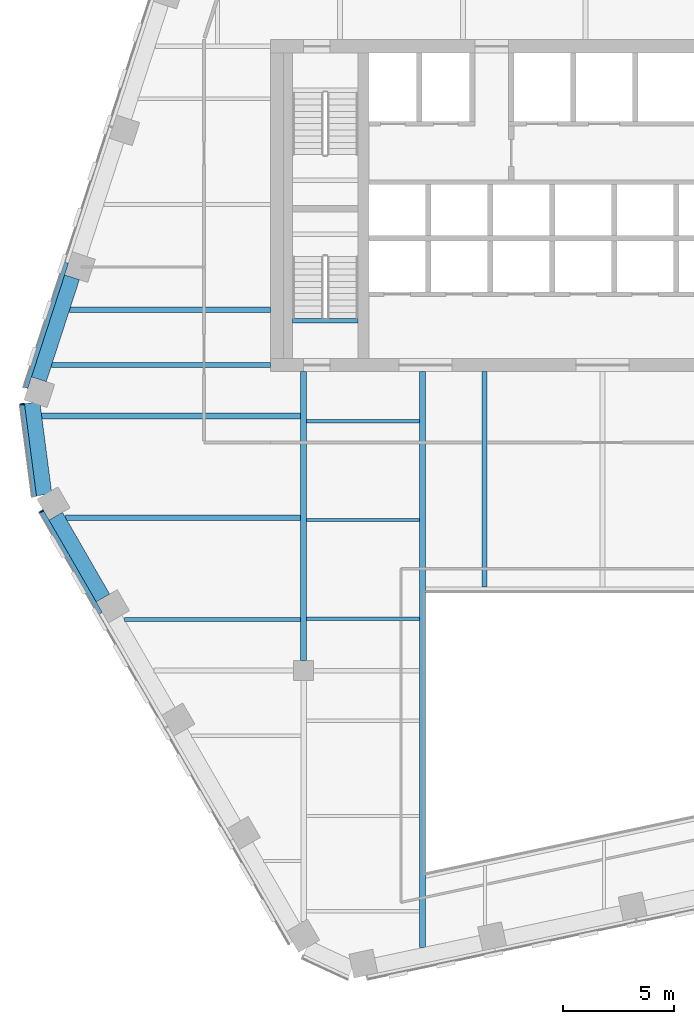
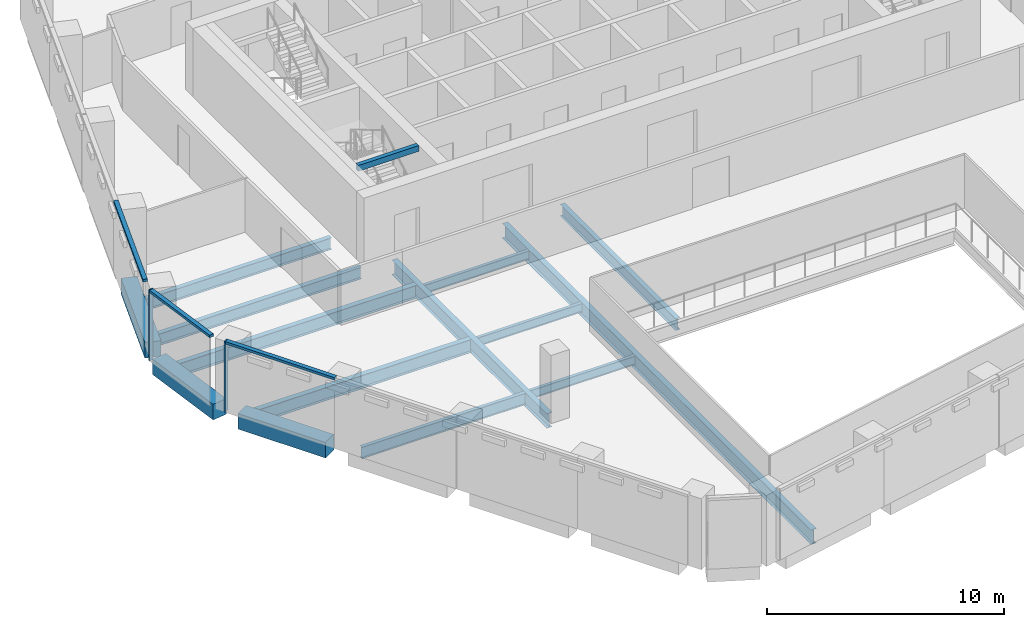
# One storey, part 3 of 16: 15 beams, 5 members, 3 elements without a shape of their own.
"""IFC4 building model written with IfcOpenShell, lengths in metres."""

from ifc_helpers import new_model, si_unit, direction, frame, origin, origin_2d, place, context, subcontext, project, spatial, rectangle, i_section, extrude, material, layer, layer_set, material_profile, profile_set, type_object, element, aggregate, save


model = new_model("IFC4")

# Units and contexts
model_context = context("Model", 3, precision=1e-05, world=origin(), true_north=direction((0.0, 1.0)))
body_context = subcontext(model_context, "Body", "Model", "MODEL_VIEW")
ifc_project = project(units=[si_unit("LENGTHUNIT", "METRE"), si_unit("AREAUNIT", "SQUARE_METRE"), si_unit("VOLUMEUNIT", "CUBIC_METRE"), si_unit("PLANEANGLEUNIT", "RADIAN"), si_unit("MASSUNIT", "GRAM", prefix="KILO")], contexts=[model_context])

# Site, building, storey
site_placement = place(None, origin())
site = spatial("IfcSite", under=ifc_project, at=site_placement, CompositionType="ELEMENT")
building_placement = place(site_placement, origin())
building = spatial("IfcBuilding", under=site, at=building_placement, Name="Isthmus Gate Tower", CompositionType="ELEMENT")
storey_placement = place(building_placement, frame((0.0, 0.0, 216.300048828125)))
storey = spatial("IfcBuildingStorey", under=building, at=storey_placement, Name="L54", CompositionType="ELEMENT", Elevation=216.300048828125)

# Curtain wall, member
ifc_material_1 = material(Name="Aluminium, pale champagne anodised", Category="aluminium")
ifc_layer = layer(ifc_material_1, 0.199951171875)
ifc_layer_set = layer_set([ifc_layer], Name="CW-1 UNITISED CURTAIN WALL 200 DEEP")
curtain_wall_type = type_object("IfcCurtainWallType", Name="CW-1 UNITISED CURTAIN WALL 200 DEEP", PredefinedType="NOTDEFINED", material=ifc_layer_set)
curtain_wall_1_placement = place(storey_placement, origin())
curtain_wall_1 = element("IfcCurtainWall", 1, at=curtain_wall_1_placement, inside=storey, type_object=curtain_wall_type, Name="CW-1 NW-SW L54", PredefinedType="NOTDEFINED")
ifc_material_2 = material(Name="Aluminium, pale champagne anodised", Category="aluminium")
ifc_material_profile_1 = material_profile(ifc_material_2, rectangle(XDim=0.06005859375, YDim=0.199951171875, at=origin_2d()), Name="60x200")
ifc_profile_set_1 = profile_set([ifc_material_profile_1], Name="Aluminium, pale champagne anodised")
member_type_1 = type_object("IfcMemberType", Name="CW-1 MULLION 60 X 200", PredefinedType="MULLION", material=ifc_profile_set_1)
member_1_placement = place(storey_placement, frame((-26.205322265625, -1.4658203125, 0.0), z_axis=(0.0, 0.0, 1.0), x_axis=(0.129164534, -0.991623175988, 0.0)))
member_1 = element("IfcMember", 2, at=member_1_placement, type_object=member_type_1, Name="CW-1 mullion", PredefinedType="MULLION", context=body_context, shape_type="SweptSolid", body=[
    extrude(rectangle(XDim=0.06005859375, YDim=0.199951171875, at=origin_2d()), origin(), (0.0, 0.0, 1.0), 3.64990234375),
])

curtain_wall_2_placement = place(storey_placement, origin())
curtain_wall_2 = element("IfcCurtainWall", 3, at=curtain_wall_2_placement, inside=storey, type_object=curtain_wall_type, Name="CW-1 SW L54", PredefinedType="NOTDEFINED")
member_2_placement = place(storey_placement, frame((-25.3427734375, -6.304931640625, 0.0), z_axis=(0.0, 0.0, 1.0), x_axis=(0.5, -0.866025403784, 0.0)))
member_2 = element("IfcMember", 4, at=member_2_placement, type_object=member_type_1, Name="CW-1 mullion", PredefinedType="MULLION", context=body_context, shape_type="SweptSolid", body=[
    extrude(rectangle(XDim=0.06005859375, YDim=0.199951171875, at=origin_2d()), origin(), (0.0, 0.0, 1.0), 3.64990234375),
])

curtain_wall_3_placement = place(storey_placement, origin())
curtain_wall_3 = element("IfcCurtainWall", 5, at=curtain_wall_3_placement, inside=storey, type_object=curtain_wall_type, Name="CW-1 NW L54", PredefinedType="NOTDEFINED")
ifc_material_3 = material(Name="Aluminium, pale champagne anodised", Category="aluminium")
ifc_material_profile_2 = material_profile(ifc_material_3, rectangle(XDim=0.199951171875, YDim=0.1298828125, at=origin_2d()), Name="200x130")
ifc_profile_set_2 = profile_set([ifc_material_profile_2], Name="Aluminium, pale champagne anodised")
member_type_2 = type_object("IfcMemberType", Name="CW-1 TRANSOM 200 X 130", PredefinedType="USERDEFINED", material=ifc_profile_set_2)
member_3_placement = place(storey_placement, frame((-24.217529296875, 4.92333984375, 3.5849609375), z_axis=(-0.309020108403, -0.951055504481, 0.0), x_axis=(0.951055504481, -0.309020108403, 0.0)))
member_3 = element("IfcMember", 6, at=member_3_placement, type_object=member_type_2, Name="CW-1 transom", ObjectType="TRANSOM", PredefinedType="USERDEFINED", context=body_context, shape_type="SweptSolid", body=[
    extrude(rectangle(XDim=0.199951171875, YDim=0.1298828125, at=origin_2d()), origin(), (0.0, 0.0, 1.0), 5.94189453125),
])
aggregate(curtain_wall_3, [member_3])

# Member
member_4_placement = place(storey_placement, frame((-26.20166015625, -1.495361328125, 3.5849609375), z_axis=(0.129206893318, -0.991617657527, 0.0), x_axis=(0.991617657527, 0.129206893318, 0.0)))
member_4 = element("IfcMember", 7, at=member_4_placement, type_object=member_type_2, Name="CW-1 transom", ObjectType="TRANSOM", PredefinedType="USERDEFINED", context=body_context, shape_type="SweptSolid", body=[
    extrude(rectangle(XDim=0.199951171875, YDim=0.1298828125, at=origin_2d()), origin(), (0.0, 0.0, 1.0), 4.181640625),
])

aggregate(curtain_wall_1, [member_1, member_4])

member_5_placement = place(storey_placement, frame((-25.327880859375, -6.3310546875, 3.5849609375), z_axis=(0.500022807565, -0.86601223543, 0.0), x_axis=(0.86601223543, 0.500022807565, 0.0)))
member_5 = element("IfcMember", 8, at=member_5_placement, type_object=member_type_2, Name="CW-1 transom", ObjectType="TRANSOM", PredefinedType="USERDEFINED", context=body_context, shape_type="SweptSolid", body=[
    extrude(rectangle(XDim=0.199951171875, YDim=0.1298828125, at=origin_2d()), origin(), (0.0, 0.0, 1.0), 5.300537109375),
])

aggregate(curtain_wall_2, [member_2, member_5])

# Beams
ifc_material_4 = material(Name="Concrete f'c 50 MPa", Category="concrete")
ifc_material_profile_3 = material_profile(ifc_material_4, rectangle(XDim=0.699951171875, YDim=0.800048828125, at=origin_2d()), Name="RC 700X800")
ifc_profile_set_3 = profile_set([ifc_material_profile_3], Name="Concrete f'c 50 MPa")
beam_type_1 = type_object("IfcBeamType", Name="RC SPANDREL 700 X 800", PredefinedType="SPANDREL", material=ifc_profile_set_3)
beam_1_placement = place(storey_placement, frame((-22.562744140625, -10.22021484375, -0.400146484375), z_axis=(-0.499996907167, 0.866027189425, 0.0), x_axis=(-0.866027189425, -0.499996907167, 0.0)))
element("IfcBeam", 9, at=beam_1_placement, inside=storey, type_object=beam_type_1, Name="str-spandrel-L54-19", PredefinedType="SPANDREL", context=body_context, shape_type="SweptSolid", body=[
    extrude(rectangle(XDim=0.699951171875, YDim=0.800048828125, at=origin_2d()), origin(), (0.0, 0.0, 1.0), 4.2607421875),
])
beam_2_placement = place(storey_placement, frame((-25.218017578125, -5.563232421875, -0.400146484375), z_axis=(-0.129137748309, 0.991626664608, 0.0), x_axis=(-0.991626664608, -0.129137748309, 0.0)))
element("IfcBeam", 10, at=beam_2_placement, inside=storey, type_object=beam_type_1, Name="str-spandrel-L54-20", PredefinedType="SPANDREL", context=body_context, shape_type="SweptSolid", body=[
    extrude(rectangle(XDim=0.699951171875, YDim=0.800048828125, at=origin_2d()), origin(), (0.0, 0.0, 1.0), 4.197021484375),
])
beam_3_placement = place(storey_placement, frame((-25.455810546875, -0.34375, -0.400146484375), z_axis=(0.309033626624, 0.951051111989, 0.0), x_axis=(-0.951051111989, 0.309033626624, 0.0)))
element("IfcBeam", 11, at=beam_3_placement, inside=storey, type_object=beam_type_1, Name="str-spandrel-L54-21", PredefinedType="SPANDREL", context=body_context, shape_type="SweptSolid", body=[
    extrude(rectangle(XDim=0.699951171875, YDim=0.800048828125, at=origin_2d()), origin(), (0.0, 0.0, 1.0), 4.842041015625),
])
ifc_material_5 = material(Name="Concrete f'c 40 MPa", Category="concrete")
ifc_material_profile_4 = material_profile(ifc_material_5, rectangle(XDim=0.199951171875, YDim=0.300048828125, at=origin_2d()), Name="STAIR LANDING BEAM RC 200 X 300")
ifc_profile_set_4 = profile_set([ifc_material_profile_4], Name="Concrete f'c 40 MPa")
beam_type_2 = type_object("IfcBeamType", Name="STAIR LANDING BEAM RC 200 X 300", PredefinedType="BEAM", material=ifc_profile_set_4)
beam_4_placement = place(storey_placement, frame((-14.0, 2.2998046875, 3.349853515625), z_axis=(1.0, 0.0, 0.0), x_axis=(0.0, 1.0, 0.0)))
element("IfcBeam", 12, at=beam_4_placement, inside=storey, type_object=beam_type_2, Name="L54 ST7 floor-edge seat beam", PredefinedType="BEAM", context=body_context, shape_type="SweptSolid", body=[
    extrude(rectangle(XDim=0.199951171875, YDim=0.300048828125, at=origin_2d()), origin(), (0.0, 0.0, 1.0), 2.949951171875),
])
ifc_material_6 = material(Name="Structural steel ASTM A992 Gr 50", Category="steel")
ifc_material_profile_5 = material_profile(ifc_material_6, i_section(OverallWidth=0.15234375, OverallDepth=0.45068359375, WebThickness=0.0078125, FlangeThickness=0.010986328125, at=origin_2d()), Name="W18X35")
ifc_profile_set_5 = profile_set([ifc_material_profile_5], Name="Structural steel ASTM A992 Gr 50")
beam_type_3 = type_object("IfcBeamType", Name="STEEL FLOOR BEAM W18X35", PredefinedType="JOIST", material=ifc_profile_set_5)
for number, where, z_axis, x_axis, name in (
    (13, (-13.3681640625, -11.16259765625, -0.37548828125), (1.0, 0.0, 0.0), (0.0, 1.0, 0.0), "str-beam-L54-03-00"),
    (14, (-13.3681640625, -6.697509765625, -0.37548828125), (1.0, 0.0, 0.0), (0.0, 1.0, 0.0), "str-beam-L54-03-01"),
    (15, (-13.3681640625, -2.232421875, -0.37548828125), (1.0, 0.0, 0.0), (0.0, 1.0, 0.0), "str-beam-L54-03-02"),
):
    element("IfcBeam", number, at=place(storey_placement, frame(where, z_axis=z_axis, x_axis=x_axis)), inside=storey, type_object=beam_type_3, Name=name, PredefinedType="JOIST", context=body_context, shape_type="SweptSolid", body=[
        extrude(i_section(OverallWidth=0.15234375, OverallDepth=0.45068359375, WebThickness=0.0078125, FlangeThickness=0.010986328125, at=origin_2d()), origin(), (0.0, 0.0, 1.0), 5.104736328125),
    ])
ifc_material_7 = material(Name="Structural steel ASTM A992 Gr 50", Category="steel")
ifc_material_profile_6 = material_profile(ifc_material_7, i_section(OverallWidth=0.177734375, OverallDepth=0.60009765625, WebThickness=0.009521484375, FlangeThickness=0.0126953125, at=origin_2d()), Name="W24X55")
ifc_profile_set_6 = profile_set([ifc_material_profile_6], Name="Structural steel ASTM A992 Gr 50")
beam_type_4 = type_object("IfcBeamType", Name="STEEL FLOOR BEAM W24X55", PredefinedType="JOIST", material=ifc_profile_set_6)
beam_5_placement = place(storey_placement, frame((-21.593017578125, -11.199951171875, -0.4501953125), z_axis=(1.0, 0.0, 0.0), x_axis=(0.0, 1.0, 0.0)))
element("IfcBeam", 16, at=beam_5_placement, inside=storey, type_object=beam_type_4, Name="str-beam-L54-01-00", PredefinedType="JOIST", context=body_context, shape_type="SweptSolid", body=[
    extrude(i_section(OverallWidth=0.177734375, OverallDepth=0.60009765625, WebThickness=0.009521484375, FlangeThickness=0.0126953125, at=origin_2d()), origin(), (0.0, 0.0, 1.0), 7.961181640625),
])
ifc_material_8 = material(Name="Structural steel ASTM A992 Gr 50", Category="steel")
ifc_material_profile_7 = material_profile(ifc_material_8, i_section(OverallWidth=0.228515625, OverallDepth=0.603271484375, WebThickness=0.010986328125, FlangeThickness=0.014404296875, at=origin_2d()), Name="W24X68")
ifc_profile_set_7 = profile_set([ifc_material_profile_7], Name="Structural steel ASTM A992 Gr 50")
beam_type_5 = type_object("IfcBeamType", Name="STEEL FLOOR BEAM W24X68", PredefinedType="JOIST", material=ifc_profile_set_7)
beam_6_placement = place(storey_placement, frame((-24.06787109375, 2.795166015625, -0.45166015625), z_axis=(1.0, 0.0, 0.0), x_axis=(0.0, 1.0, 0.0)))
element("IfcBeam", 17, at=beam_6_placement, inside=storey, type_object=beam_type_5, Name="str-beam-L54-00-00", PredefinedType="JOIST", context=body_context, shape_type="SweptSolid", body=[
    extrude(i_section(OverallWidth=0.228515625, OverallDepth=0.603271484375, WebThickness=0.010986328125, FlangeThickness=0.014404296875, at=origin_2d()), origin(), (0.0, 0.0, 1.0), 9.06787109375),
])
beam_7_placement = place(storey_placement, frame((-5.333251953125, -9.7333984375, -0.45166015625), z_axis=(0.0, 1.0, 0.0), x_axis=(-1.0, 0.0, 0.0)))
element("IfcBeam", 18, at=beam_7_placement, inside=storey, type_object=beam_type_5, Name="str-beam-L54-07-00", PredefinedType="JOIST", context=body_context, shape_type="SweptSolid", body=[
    extrude(i_section(OverallWidth=0.228515625, OverallDepth=0.603271484375, WebThickness=0.010986328125, FlangeThickness=0.014404296875, at=origin_2d()), origin(), (0.0, 0.0, 1.0), 9.7333984375),
])
ifc_material_9 = material(Name="Structural steel ASTM A992 Gr 50", Category="steel")
ifc_material_profile_8 = material_profile(ifc_material_9, i_section(OverallWidth=0.25390625, OverallDepth=0.679443359375, WebThickness=0.010986328125, FlangeThickness=0.015869140625, at=origin_2d()), Name="W27X84")
ifc_profile_set_8 = profile_set([ifc_material_profile_8], Name="Structural steel ASTM A992 Gr 50")
beam_type_6 = type_object("IfcBeamType", Name="STEEL FLOOR BEAM W27X84", PredefinedType="JOIST", material=ifc_profile_set_8)
beam_8_placement = place(storey_placement, frame((-24.248779296875, -6.60009765625, -0.48974609375), z_axis=(1.0, 0.0, 0.0), x_axis=(0.0, 1.0, 0.0)))
element("IfcBeam", 19, at=beam_8_placement, inside=storey, type_object=beam_type_6, Name="str-beam-L54-01-01", PredefinedType="JOIST", context=body_context, shape_type="SweptSolid", body=[
    extrude(i_section(OverallWidth=0.25390625, OverallDepth=0.679443359375, WebThickness=0.010986328125, FlangeThickness=0.015869140625, at=origin_2d()), origin(), (0.0, 0.0, 1.0), 10.616943359375),
])
beam_9_placement = place(storey_placement, frame((-25.3291015625, -2.0, -0.48974609375), z_axis=(1.0, 0.0, 0.0), x_axis=(0.0, 1.0, 0.0)))
element("IfcBeam", 20, at=beam_9_placement, inside=storey, type_object=beam_type_6, Name="str-beam-L54-01-02", PredefinedType="JOIST", context=body_context, shape_type="SweptSolid", body=[
    extrude(i_section(OverallWidth=0.25390625, OverallDepth=0.679443359375, WebThickness=0.010986328125, FlangeThickness=0.015869140625, at=origin_2d()), origin(), (0.0, 0.0, 1.0), 11.697265625),
])
ifc_material_10 = material(Name="Structural steel ASTM A992 Gr 50", Category="steel")
ifc_material_profile_9 = material_profile(ifc_material_10, i_section(OverallWidth=0.228515625, OverallDepth=0.6064453125, WebThickness=0.010986328125, FlangeThickness=0.017578125, at=origin_2d()), Name="W24X76")
ifc_profile_set_9 = profile_set([ifc_material_profile_9], Name="Structural steel ASTM A992 Gr 50")
beam_type_7 = type_object("IfcBeamType", Name="STEEL GIRDER W24X76", PredefinedType="BEAM", material=ifc_profile_set_9)
beam_10_placement = place(storey_placement, frame((-15.0, 0.300048828125, -0.453369140625), z_axis=(-1.0, 0.0, 0.0), x_axis=(0.0, -1.0, 0.0)))
element("IfcBeam", 21, at=beam_10_placement, inside=storey, type_object=beam_type_7, Name="str-girder-L54-09", PredefinedType="BEAM", context=body_context, shape_type="SweptSolid", body=[
    extrude(i_section(OverallWidth=0.228515625, OverallDepth=0.6064453125, WebThickness=0.010986328125, FlangeThickness=0.017578125, at=origin_2d()), origin(), (0.0, 0.0, 1.0), 9.878662109375),
])
ifc_material_11 = material(Name="Structural steel ASTM A992 Gr 50", Category="steel")
ifc_material_profile_10 = material_profile(ifc_material_11, i_section(OverallWidth=0.263427734375, OverallDepth=0.749267578125, WebThickness=0.0126953125, FlangeThickness=0.015869140625, at=origin_2d()), Name="W30X90")
ifc_profile_set_10 = profile_set([ifc_material_profile_10], Name="Structural steel ASTM A992 Gr 50")
beam_type_8 = type_object("IfcBeamType", Name="STEEL GIRDER W30X90", PredefinedType="BEAM", material=ifc_profile_set_10)
beam_11_placement = place(storey_placement, frame((-13.5, -13.050048828125, -0.524658203125), z_axis=(0.0, 1.0, 0.0), x_axis=(-1.0, 0.0, 0.0)))
element("IfcBeam", 22, at=beam_11_placement, inside=storey, type_object=beam_type_8, Name="str-girder-L54-06", PredefinedType="BEAM", context=body_context, shape_type="SweptSolid", body=[
    extrude(i_section(OverallWidth=0.263427734375, OverallDepth=0.749267578125, WebThickness=0.0126953125, FlangeThickness=0.015869140625, at=origin_2d()), origin(), (0.0, 0.0, 1.0), 13.050048828125),
])
ifc_material_12 = material(Name="Structural steel ASTM A992 Gr 50", Category="steel")
ifc_material_profile_11 = material_profile(ifc_material_12, i_section(OverallWidth=0.263427734375, OverallDepth=0.749267578125, WebThickness=0.0126953125, FlangeThickness=0.015869140625, at=origin_2d()), Name="W30X90")
ifc_profile_set_11 = profile_set([ifc_material_profile_11], Name="Structural steel ASTM A992 Gr 50")
beam_type_9 = type_object("IfcBeamType", Name="STEEL TRIMMER W30X90", PredefinedType="BEAM", material=ifc_profile_set_11)
beam_12_placement = place(storey_placement, frame((-8.1318359375, 0.0, -0.524658203125), z_axis=(0.0, -1.0, 0.0), x_axis=(1.0, 0.0, 0.0)))
element("IfcBeam", 23, at=beam_12_placement, inside=storey, type_object=beam_type_9, Name="str-trimmer-L54-02", PredefinedType="BEAM", context=body_context, shape_type="SweptSolid", body=[
    extrude(i_section(OverallWidth=0.263427734375, OverallDepth=0.749267578125, WebThickness=0.0126953125, FlangeThickness=0.015869140625, at=origin_2d()), origin(), (0.0, 0.0, 1.0), 26.012939453125),
])

save(model, "model.ifc")
